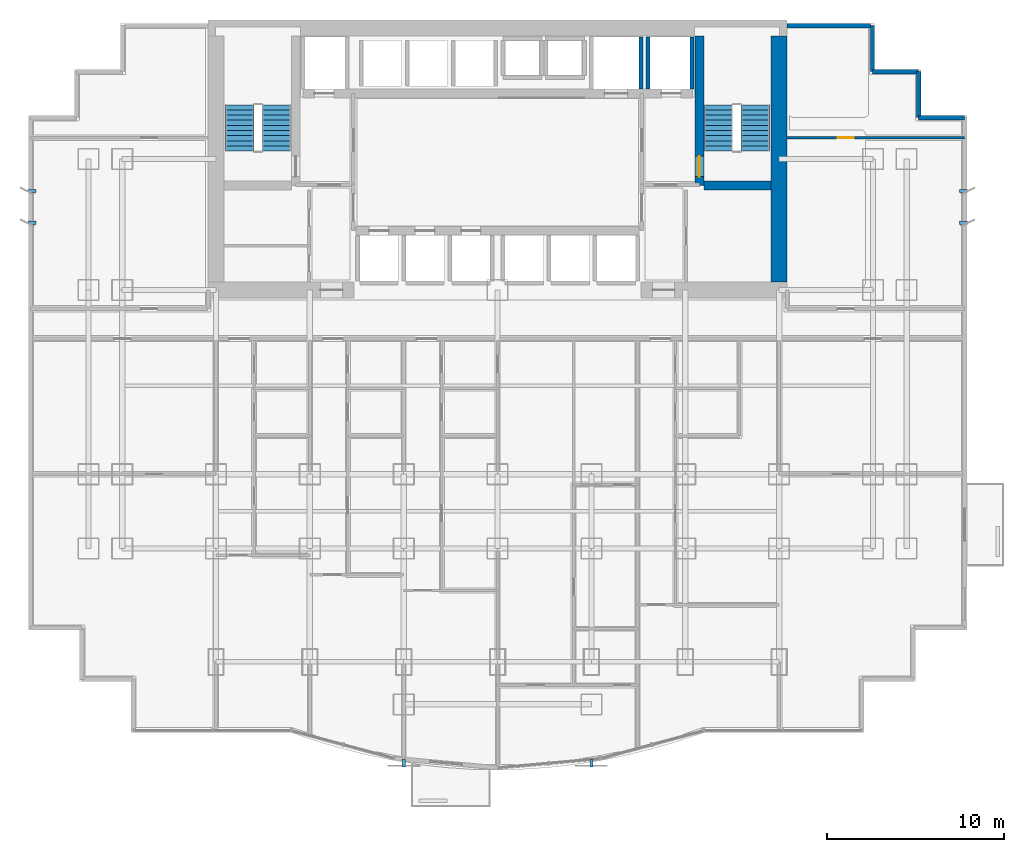
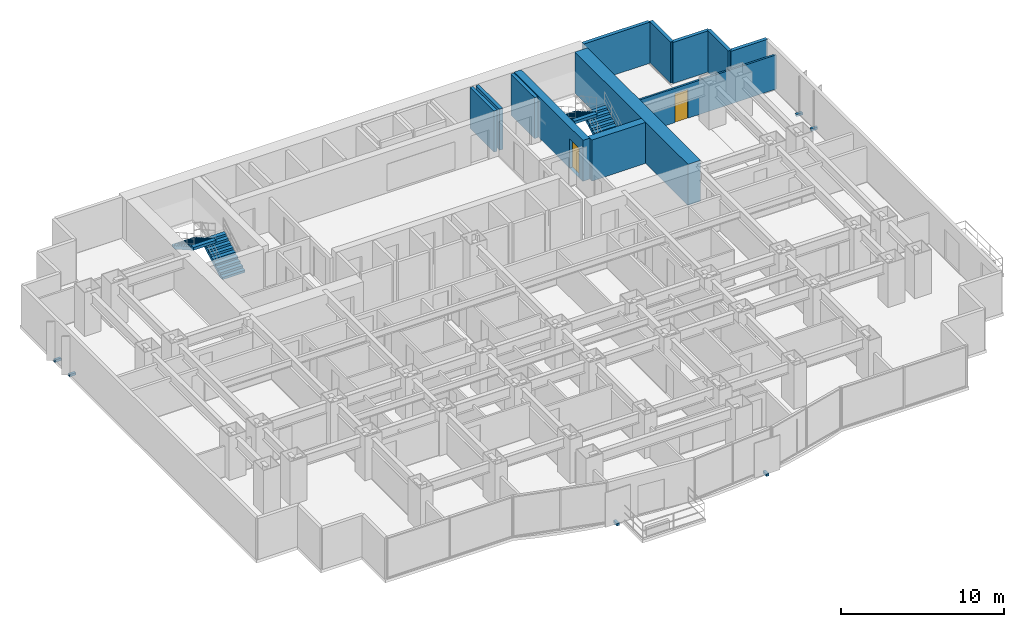
# One storey, part 8 of 10: 12 walls, 6 discrete accessories, 4 stair flights, 2 doors, 2 openings, 2 elements without a shape of their own.
"""IFC4 building model written with IfcOpenShell, lengths in metres."""

from ifc_helpers import new_model, si_unit, direction, frame, frame_2d, origin, origin_2d, place, context, subcontext, project, spatial, polyline, rectangle, outline, extrude, source, transform, mapped, material, layer, layer_set, type_object, element, fill, aggregate, save


model = new_model("IFC4")

# Units and contexts
model_context = context("Model", 3, precision=1e-05, world=origin(), true_north=direction((0.0, 1.0)))
body_context = subcontext(model_context, "Body", "Model", "MODEL_VIEW")
ifc_project = project(units=[si_unit("LENGTHUNIT", "METRE"), si_unit("AREAUNIT", "SQUARE_METRE"), si_unit("VOLUMEUNIT", "CUBIC_METRE"), si_unit("PLANEANGLEUNIT", "RADIAN"), si_unit("MASSUNIT", "GRAM", prefix="KILO")], contexts=[model_context])

# Site, building, storey
site_placement = place(None, origin())
site = spatial("IfcSite", under=ifc_project, at=site_placement, CompositionType="ELEMENT")
building_placement = place(site_placement, origin())
building = spatial("IfcBuilding", under=site, at=building_placement, Name="Qianlan Lanfeng Residences", CompositionType="ELEMENT")
storey_placement = place(building_placement, frame((0.0, 0.0, 34.10009765625)))
storey = spatial("IfcBuildingStorey", under=building, at=storey_placement, Name="L08", CompositionType="ELEMENT", Elevation=34.10009765625)

# Wall, opening, door
ifc_material_1 = material(Name="Concrete C70", Category="concrete")
ifc_layer_1 = layer(ifc_material_1, 0.5)
ifc_layer_set_1 = layer_set([ifc_layer_1], Name="Concrete C70")
wall_type_1 = type_object("IfcWallType", Name="CW-RC-500", PredefinedType="SHEAR", material=ifc_layer_set_1)
wall_1_placement = place(storey_placement, frame((37.89990234375, 31.10009765625, 0.0), z_axis=(0.0, 0.0, 1.0), x_axis=(0.0, 1.0, 0.0)))
wall_1 = element("IfcWall", 1, at=wall_1_placement, inside=storey, type_object=wall_type_1, Name="L08 Core Shear Wall ST2W", PredefinedType="SHEAR", context=body_context, shape_type="SweptSolid", body=[
    extrude(rectangle(XDim=8.449951171875, YDim=0.5, at=frame_2d((4.22509765625, 0.0))), origin(), (0.0, 0.0, 1.0), 3.079833984375),
])
opening_1_placement = place(wall_1_placement, frame((0.510009765625, 0.0, 0.0)))
opening_1 = element("IfcOpeningElement", 2, at=opening_1_placement, cuts=wall_1, Name="Opening L08-D08", PredefinedType="OPENING", context=body_context, shape_type="SweptSolid", body=[
    extrude(rectangle(XDim=1.14990234375, YDim=2.199951171875, at=frame_2d((0.574951171875, 1.10009765625))), frame((0.0, 0.260009765625, 0.0), z_axis=(0.0, -1.0, 0.0), x_axis=(1.0, 0.0, 0.0)), (0.0, 0.0, 1.0), 0.52001953125),
])
ifc_material_2 = material(Name="Painted Galvanised Steel Fire Door", Category="steel")
door_type_1 = type_object("IfcDoorType", Name="DT-ST1", OperationType="NOTDEFINED", PredefinedType="DOOR", material=ifc_material_2)
door_1_placement = place(opening_1_placement, origin())
door_1 = element("IfcDoor", 3, at=door_1_placement, inside=storey, type_object=door_type_1, Name="L08 Exit Stair ST-2 Door L08-D08 (DT-ST1)", OperationType="SINGLE_SWING_RIGHT", OverallHeight=2.199951171875, OverallWidth=1.14990234375, PredefinedType="DOOR", context=body_context, shape_type="SweptSolid", body=[
    extrude(rectangle(XDim=1.14990234375, YDim=2.199951171875, at=frame_2d((0.574951171875, 1.10009765625))), frame((0.0, 0.02490234375, 0.0), z_axis=(0.0, -1.0, 0.0), x_axis=(1.0, 0.0, 0.0)), (0.0, 0.0, 1.0), 0.050048828125),
])
fill(opening_1, door_1)

# Walls
wall_2_placement = place(storey_placement, frame((38.14990234375, 31.10009765625, 0.0), z_axis=(0.0, 0.0, 1.0), x_axis=(1.0, 0.0, 0.0)))
element("IfcWall", 4, at=wall_2_placement, inside=storey, type_object=wall_type_1, Name="L08 Core Shear Wall ST2S", PredefinedType="SHEAR", context=body_context, shape_type="SweptSolid", body=[
    extrude(rectangle(XDim=3.800048828125, YDim=0.5, at=frame_2d((1.89990234375, 0.0))), origin(), (0.0, 0.0, 1.0), 3.079833984375),
])
ifc_layer_2 = layer(ifc_material_1, 0.89990234375)
ifc_layer_set_2 = layer_set([ifc_layer_2], Name="Concrete C70")
wall_type_2 = type_object("IfcWallType", Name="CW-RC-900", PredefinedType="SHEAR", material=ifc_layer_set_2)
wall_3_placement = place(storey_placement, frame((42.39990234375, 25.64990234375, 0.0), z_axis=(0.0, 0.0, 1.0), x_axis=(0.0, 1.0, 0.0)))
element("IfcWall", 5, at=wall_3_placement, inside=storey, type_object=wall_type_2, Name="L08 Core Shear Wall E", PredefinedType="SHEAR", context=body_context, shape_type="SweptSolid", body=[
    extrude(rectangle(XDim=13.900146484375, YDim=0.89990234375, at=frame_2d((6.9501953125, 0.0))), origin(), (0.0, 0.0, 1.0), 3.079833984375),
])
ifc_material_3 = material(Name="Concrete C42", Category="concrete")
ifc_layer_3 = layer(ifc_material_3, 0.239990234375)
ifc_layer_set_3 = layer_set([ifc_layer_3], Name="Concrete C42")
wall_type_3 = type_object("IfcWallType", Name="EW-240", PredefinedType="SOLIDWALL", material=ifc_layer_set_3)
wall_4_placement = place(storey_placement, frame((52.8798828125, 34.929931640625, 0.0), z_axis=(0.0, 0.0, 1.0), x_axis=(-1.0, 0.0, 0.0)))
element("IfcWall", 6, at=wall_4_placement, inside=storey, type_object=wall_type_3, Name="L08 Exterior Facade Spandrel Wall 11", PredefinedType="SOLIDWALL", context=body_context, shape_type="SweptSolid", body=[
    extrude(rectangle(XDim=2.599853515625, YDim=0.239990234375, at=frame_2d((1.2998046875, 0.0))), origin(), (0.0, 0.0, 1.0), 3.079833984375),
])
for number, where, z_axis, x_axis, name in (
    (7, (50.280029296875, 34.929931640625, 0.0), (0.0, 0.0, 1.0), (0.0, 1.0, 0.0), "L08 Exterior Facade Spandrel Wall 12"),
    (8, (50.280029296875, 37.530029296875, 0.0), (0.0, 0.0, 1.0), (-1.0, 0.0, 0.0), "L08 Exterior Facade Spandrel Wall 13"),
):
    element("IfcWall", number, at=place(storey_placement, frame(where, z_axis=z_axis, x_axis=x_axis)), inside=storey, type_object=wall_type_3, Name=name, PredefinedType="SOLIDWALL", context=body_context, shape_type="SweptSolid", body=[
        extrude(rectangle(XDim=2.60009765625, YDim=0.239990234375, at=frame_2d((1.300048828125, 0.0))), origin(), (0.0, 0.0, 1.0), 3.079833984375),
    ])
wall_5_placement = place(storey_placement, frame((47.679931640625, 37.530029296875, 0.0), z_axis=(0.0, 0.0, 1.0), x_axis=(0.0, 1.0, 0.0)))
element("IfcWall", 9, at=wall_5_placement, inside=storey, type_object=wall_type_3, Name="L08 Exterior Facade Spandrel Wall 14", PredefinedType="SOLIDWALL", context=body_context, shape_type="SweptSolid", body=[
    extrude(rectangle(XDim=2.599853515625, YDim=0.239990234375, at=frame_2d((1.2998046875, 0.0))), origin(), (0.0, 0.0, 1.0), 3.079833984375),
])
wall_6_placement = place(storey_placement, frame((47.550048828125, 40.1298828125, 0.0), z_axis=(0.0, 0.0, 1.0), x_axis=(-1.0, 0.0, 0.0)))
element("IfcWall", 10, at=wall_6_placement, inside=storey, type_object=wall_type_3, Name="L08 North Wing Exterior Wall E", PredefinedType="SOLIDWALL", context=body_context, shape_type="SweptSolid", body=[
    extrude(rectangle(XDim=4.699951171875, YDim=0.239990234375, at=frame_2d((2.35009765625, 0.0))), origin(), (0.0, 0.0, 1.0), 3.079833984375),
])

# Wall, opening, door
ifc_material_4 = material(Name="Moisture-Resistant Gypsum Partition 135 mm")
ifc_layer_4 = layer(ifc_material_4, 0.135009765625)
ifc_layer_set_4 = layer_set([ifc_layer_4], Name="Moisture-Resistant Gypsum Partition 135 mm")
wall_type_4 = type_object("IfcWallType", Name="PW-135", PredefinedType="PARTITIONING", material=ifc_layer_set_4)
wall_7_placement = place(storey_placement, frame((42.85009765625, 33.800048828125, 0.0), z_axis=(0.0, 0.0, 1.0), x_axis=(1.0, 0.0, 0.0)))
wall_7 = element("IfcWall", 11, at=wall_7_placement, inside=storey, type_object=wall_type_4, Name="L08 EW North Wing Wall", PredefinedType="PARTITIONING", context=body_context, shape_type="SweptSolid", body=[
    extrude(rectangle(XDim=10.02978515625, YDim=0.135009765625, at=frame_2d((5.014892578125, 0.0))), origin(), (0.0, 0.0, 1.0), 2.56982421875),
])
opening_2_placement = place(wall_7_placement, frame((2.85498046875, 0.0, 0.0)))
opening_2 = element("IfcOpeningElement", 12, at=opening_2_placement, cuts=wall_7, Name="Opening L08-D45", PredefinedType="OPENING", context=body_context, shape_type="SweptSolid", body=[
    extrude(rectangle(XDim=0.919921875, YDim=2.14990234375, at=frame_2d((0.4599609375, 1.074951171875))), frame((0.0, 0.07763671875, 0.0), z_axis=(0.0, -1.0, 0.0), x_axis=(1.0, 0.0, 0.0)), (0.0, 0.0, 1.0), 0.155029296875),
])
ifc_material_5 = material(Name="Glazed Timber Kitchen/Study Door", Category="wood")
door_type_2 = type_object("IfcDoorType", Name="DT-INT", OperationType="NOTDEFINED", PredefinedType="DOOR", material=ifc_material_5)
door_2_placement = place(opening_2_placement, origin())
door_2 = element("IfcDoor", 13, at=door_2_placement, inside=storey, type_object=door_type_2, Name="L08 EW Inner Salon Door L08-D45 (DT-INT)", OperationType="SINGLE_SWING_LEFT", OverallHeight=2.14990234375, OverallWidth=0.919921875, PredefinedType="DOOR", context=body_context, shape_type="SweptSolid", body=[
    extrude(rectangle(XDim=0.919921875, YDim=2.14990234375, at=frame_2d((0.4599609375, 1.074951171875))), frame((0.0, 0.02490234375, 0.0), z_axis=(0.0, -1.0, 0.0), x_axis=(1.0, 0.0, 0.0)), (0.0, 0.0, 1.0), 0.050048828125),
])
fill(opening_2, door_2)

# Walls
ifc_material_6 = material(Name="Concrete C49", Category="concrete")
ifc_layer_5 = layer(ifc_material_6, 0.219970703125)
ifc_layer_set_5 = layer_set([ifc_layer_5], Name="Concrete C49")
wall_type_5 = type_object("IfcWallType", Name="SHW-220", PredefinedType="SOLIDWALL", material=ifc_layer_set_5)
for number, where, z_axis, x_axis, name in (
    (14, (35.0, 36.550048828125, 0.0), (0.0, 0.0, 1.0), (0.0, 1.0, 0.0), "L08 Lift FFL-2 Shaft Wall W"),
    (15, (37.47998046875, 36.550048828125, 0.0), (0.0, 0.0, 1.0), (0.0, 1.0, 0.0), "L08 Lift FFL-2 Shaft Wall E"),
    (16, (34.60009765625, 36.550048828125, 0.0), (0.0, 0.0, 1.0), (0.0, 1.0, 0.0), "L08 Lift SVL-1 Shaft Wall E"),
):
    element("IfcWall", number, at=place(storey_placement, frame(where, z_axis=z_axis, x_axis=x_axis)), inside=storey, type_object=wall_type_5, Name=name, PredefinedType="SOLIDWALL", context=body_context, shape_type="SweptSolid", body=[
        extrude(rectangle(XDim=2.929931640625, YDim=0.219970703125, at=frame_2d((1.46484375, 0.0))), origin(), (0.0, 0.0, 1.0), 3.079833984375),
    ])

# Stair, stair flights
stair_type = type_object("IfcStairType", Name="STR-MAIN", PredefinedType="HALF_TURN_STAIR", material=ifc_material_3)
stair_1_placement = place(storey_placement, origin())
stair_1 = element("IfcStair", 17, at=stair_1_placement, inside=storey, type_object=stair_type, Name="L08 Exit Stair ST-1", PredefinedType="HALF_TURN_STAIR")
stair_flight_type = type_object("IfcStairFlightType", Name="FLT-1720", PredefinedType="STRAIGHT", material=ifc_material_3)
stair_flight_1_placement = place(storey_placement, frame((14.02001953125, 33.050048828125, 0.0), z_axis=(0.0, 0.0, 1.0), x_axis=(0.0, 1.0, 0.0)))
stair_flight_1 = element("IfcStairFlight", 18, at=stair_flight_1_placement, type_object=stair_flight_type, Name="ST-1 flight 1", NumberOfRisers=10, NumberOfTreads=9, PredefinedType="STRAIGHT", RiserHeight=0.165, TreadLength=0.29, context=body_context, shape_type="SweptSolid", body=[
    extrude(outline(polyline([(0.0, 0.0), (0.0, 0.1650390625), (0.2900390625, 0.1650390625), (0.2900390625, 0.330078125), (0.580078125, 0.330078125), (0.580078125, 0.4951171875), (0.8701171875, 0.4951171875), (0.8701171875, 0.659912109375), (1.159912109375, 0.659912109375), (1.159912109375, 0.824951171875), (1.449951171875, 0.824951171875), (1.449951171875, 0.989990234375), (1.739990234375, 0.989990234375), (1.739990234375, 1.155029296875), (2.030029296875, 1.155029296875), (2.030029296875, 1.320068359375), (2.320068359375, 1.320068359375), (2.320068359375, 1.485107421875), (2.610107421875, 1.485107421875), (2.610107421875, 1.64990234375), (2.610107421875, 1.278076171875), (0.36376953125, 0.0), (0.0, 0.0)])), frame((0.0, 0.800048828125, 0.0), z_axis=(0.0, -1.0, 0.0), x_axis=(1.0, 0.0, 0.0)), (0.0, 0.0, 1.0), 1.60009765625),
])
stair_flight_2_placement = place(storey_placement, frame((11.93994140625, 35.659912109375, 1.64990234375), z_axis=(0.0, 0.0, 1.0), x_axis=(0.0, -1.0, 0.0)))
stair_flight_2 = element("IfcStairFlight", 19, at=stair_flight_2_placement, type_object=stair_flight_type, Name="ST-1 flight 2", NumberOfRisers=10, NumberOfTreads=9, PredefinedType="STRAIGHT", RiserHeight=0.165, TreadLength=0.29, context=body_context, shape_type="SweptSolid", body=[
    extrude(outline(polyline([(0.0, 0.0), (0.0, 0.1650390625), (0.2900390625, 0.1650390625), (0.2900390625, 0.330078125), (0.580078125, 0.330078125), (0.580078125, 0.4951171875), (0.8701171875, 0.4951171875), (0.8701171875, 0.659912109375), (1.159912109375, 0.659912109375), (1.159912109375, 0.824951171875), (1.449951171875, 0.824951171875), (1.449951171875, 0.989990234375), (1.739990234375, 0.989990234375), (1.739990234375, 1.155029296875), (2.030029296875, 1.155029296875), (2.030029296875, 1.320068359375), (2.320068359375, 1.320068359375), (2.320068359375, 1.485107421875), (2.610107421875, 1.485107421875), (2.610107421875, 1.64990234375), (2.610107421875, 1.278076171875), (0.36376953125, 0.0), (0.0, 0.0)])), frame((0.0, 0.800048828125, 0.0), z_axis=(0.0, -1.0, 0.0), x_axis=(1.0, 0.0, 0.0)), (0.0, 0.0, 1.0), 1.60009765625),
])
aggregate(stair_1, [stair_flight_1, stair_flight_2])

stair_2_placement = place(storey_placement, origin())
stair_2 = element("IfcStair", 20, at=stair_2_placement, inside=storey, type_object=stair_type, Name="L08 Exit Stair ST-2", PredefinedType="HALF_TURN_STAIR")
stair_flight_3_placement = place(storey_placement, frame((41.06005859375, 33.050048828125, 0.0), z_axis=(0.0, 0.0, 1.0), x_axis=(0.0, 1.0, 0.0)))
stair_flight_3 = element("IfcStairFlight", 21, at=stair_flight_3_placement, type_object=stair_flight_type, Name="ST-2 flight 1", NumberOfRisers=10, NumberOfTreads=9, PredefinedType="STRAIGHT", RiserHeight=0.165, TreadLength=0.29, context=body_context, shape_type="SweptSolid", body=[
    extrude(outline(polyline([(0.0, 0.0), (0.0, 0.1650390625), (0.2900390625, 0.1650390625), (0.2900390625, 0.330078125), (0.580078125, 0.330078125), (0.580078125, 0.4951171875), (0.8701171875, 0.4951171875), (0.8701171875, 0.659912109375), (1.159912109375, 0.659912109375), (1.159912109375, 0.824951171875), (1.449951171875, 0.824951171875), (1.449951171875, 0.989990234375), (1.739990234375, 0.989990234375), (1.739990234375, 1.155029296875), (2.030029296875, 1.155029296875), (2.030029296875, 1.320068359375), (2.320068359375, 1.320068359375), (2.320068359375, 1.485107421875), (2.610107421875, 1.485107421875), (2.610107421875, 1.64990234375), (2.610107421875, 1.278076171875), (0.36376953125, 0.0), (0.0, 0.0)])), frame((0.0, 0.800048828125, 0.0), z_axis=(0.0, -1.0, 0.0), x_axis=(1.0, 0.0, 0.0)), (0.0, 0.0, 1.0), 1.60009765625),
])
stair_flight_4_placement = place(storey_placement, frame((38.97998046875, 35.659912109375, 1.64990234375), z_axis=(0.0, 0.0, 1.0), x_axis=(0.0, -1.0, 0.0)))
stair_flight_4 = element("IfcStairFlight", 22, at=stair_flight_4_placement, type_object=stair_flight_type, Name="ST-2 flight 2", NumberOfRisers=10, NumberOfTreads=9, PredefinedType="STRAIGHT", RiserHeight=0.165, TreadLength=0.29, context=body_context, shape_type="SweptSolid", body=[
    extrude(outline(polyline([(0.0, 0.0), (0.0, 0.1650390625), (0.2900390625, 0.1650390625), (0.2900390625, 0.330078125), (0.580078125, 0.330078125), (0.580078125, 0.4951171875), (0.8701171875, 0.4951171875), (0.8701171875, 0.659912109375), (1.159912109375, 0.659912109375), (1.159912109375, 0.824951171875), (1.449951171875, 0.824951171875), (1.449951171875, 0.989990234375), (1.739990234375, 0.989990234375), (1.739990234375, 1.155029296875), (2.030029296875, 1.155029296875), (2.030029296875, 1.320068359375), (2.320068359375, 1.320068359375), (2.320068359375, 1.485107421875), (2.610107421875, 1.485107421875), (2.610107421875, 1.64990234375), (2.610107421875, 1.278076171875), (0.36376953125, 0.0), (0.0, 0.0)])), frame((0.0, 0.800048828125, 0.0), z_axis=(0.0, -1.0, 0.0), x_axis=(1.0, 0.0, 0.0)), (0.0, 0.0, 1.0), 1.60009765625),
])
aggregate(stair_2, [stair_flight_3, stair_flight_4])

# Discrete accessories
ifc_material_7 = material(Name="Stainless Steel Facade Bracket", Category="steel")
discrete_accessory_type = type_object("IfcDiscreteAccessoryType", Name="BRK-SS-350", PredefinedType="BRACKET", material=ifc_material_7)
shared_shape_1 = source(origin(), body_context, "Body", "SweptSolid", [
    extrude(rectangle(XDim=0.179931640625, YDim=0.449951171875, at=origin_2d()), origin(), (0.0, 0.0, 1.0), 0.179931640625),
])
for number, where, z_axis, x_axis, name in (
    (23, (21.199951171875, -1.5, -0.14990234375), (0.0, 0.0, 1.0), (1.0, 0.0, 0.0), "L08 Solar Screen Support Bracket 1"),
    (24, (31.800048828125, -1.5, -0.14990234375), (0.0, 0.0, 1.0), (1.0, 0.0, 0.0), "L08 Solar Screen Support Bracket 2"),
):
    element("IfcDiscreteAccessory", number, at=place(storey_placement, frame(where, z_axis=z_axis, x_axis=x_axis)), inside=storey, type_object=discrete_accessory_type, Name=name, PredefinedType="BRACKET", context=body_context, shape_type="MappedRepresentation", body=[
        mapped(shared_shape_1, transform((0.0, 0.0, 0.0), scale=1.0)),
    ])
shared_shape_2 = source(origin(), body_context, "Body", "SweptSolid", [
    extrude(rectangle(XDim=0.449951171875, YDim=0.179931640625, at=origin_2d()), origin(), (0.0, 0.0, 1.0), 0.179931640625),
])
for number, where, z_axis, x_axis, name in (
    (25, (0.199951171875, 29.0, -0.14990234375), (0.0, 0.0, 1.0), (1.0, 0.0, 0.0), "L08 Raked Solar Fin Support Bracket W1"),
    (26, (0.199951171875, 30.800048828125, -0.14990234375), (0.0, 0.0, 1.0), (1.0, 0.0, 0.0), "L08 Raked Solar Fin Support Bracket W2"),
    (27, (52.800048828125, 29.0, -0.14990234375), (0.0, 0.0, 1.0), (1.0, 0.0, 0.0), "L08 Raked Solar Fin Support Bracket E1"),
    (28, (52.800048828125, 30.800048828125, -0.14990234375), (0.0, 0.0, 1.0), (1.0, 0.0, 0.0), "L08 Raked Solar Fin Support Bracket E2"),
):
    element("IfcDiscreteAccessory", number, at=place(storey_placement, frame(where, z_axis=z_axis, x_axis=x_axis)), inside=storey, type_object=discrete_accessory_type, Name=name, PredefinedType="BRACKET", context=body_context, shape_type="MappedRepresentation", body=[
        mapped(shared_shape_2, transform((0.0, 0.0, 0.0), scale=1.0)),
    ])

save(model, "model.ifc")
